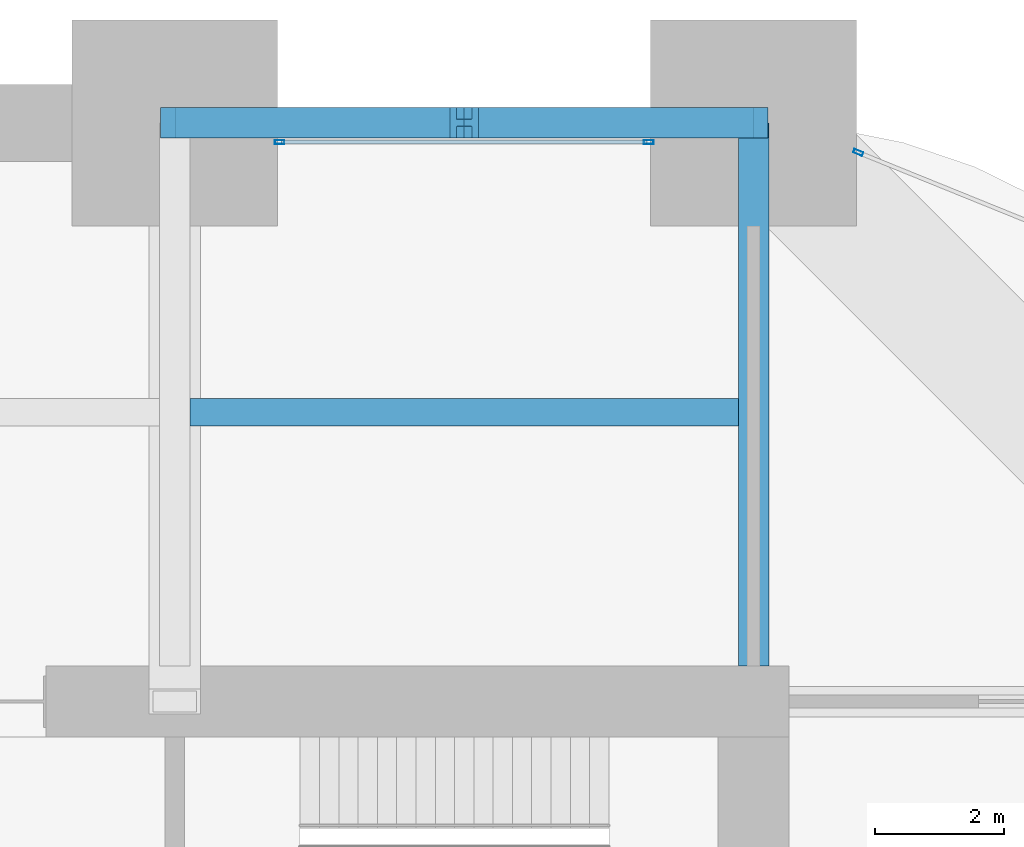
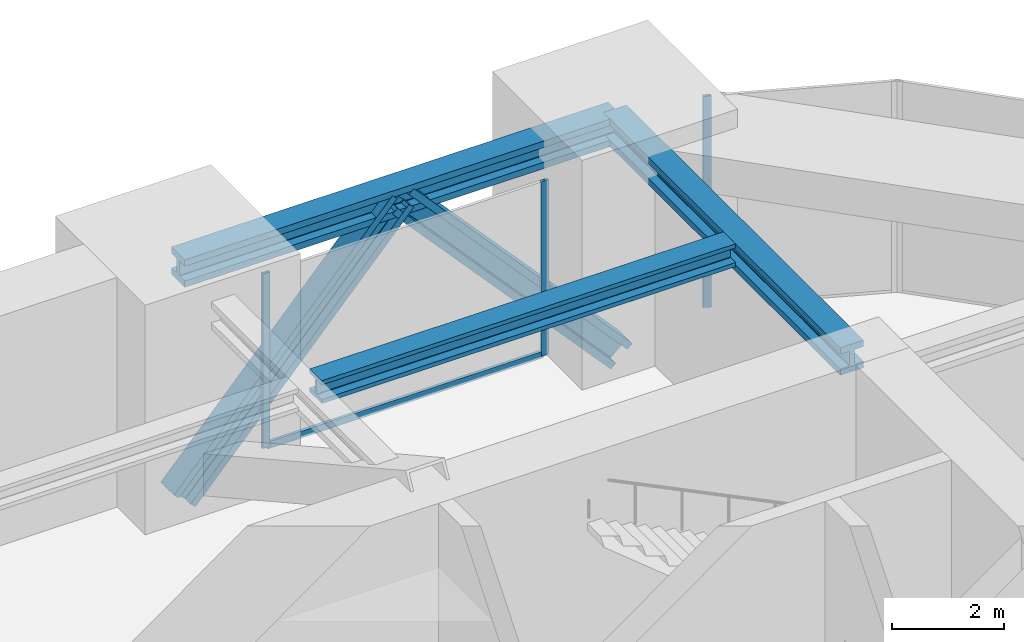
# One storey, part 25 of 32: 6 members, 3 beams, 2 elements without a shape of their own.
"""IFC4 building model written with IfcOpenShell, lengths in metres."""

from ifc_helpers import new_model, si_unit, direction, frame, origin, origin_2d, place, context, subcontext, project, spatial, hollow_rectangle, i_section, extrude, material, material_profile, profile_set, type_object, element, aggregate, save


model = new_model("IFC4")

# Units and contexts
model_context = context("Model", 3, precision=1e-05, world=origin(), true_north=direction((0.0, 1.0)))
body_context = subcontext(model_context, "Body", "Model", "MODEL_VIEW")
ifc_project = project(units=[si_unit("LENGTHUNIT", "METRE"), si_unit("AREAUNIT", "SQUARE_METRE"), si_unit("VOLUMEUNIT", "CUBIC_METRE"), si_unit("PLANEANGLEUNIT", "RADIAN"), si_unit("MASSUNIT", "GRAM", prefix="KILO")], contexts=[model_context])

# Site, building, storey
site_placement = place(None, origin())
site = spatial("IfcSite", under=ifc_project, at=site_placement, CompositionType="ELEMENT")
building_placement = place(site_placement, origin())
building = spatial("IfcBuilding", under=site, at=building_placement, Name="Zorevar Civic Tower", CompositionType="ELEMENT")
storey_placement = place(building_placement, frame((0.0, 0.0, 234.39990234375)))
storey = spatial("IfcBuildingStorey", under=building, at=storey_placement, Name="L57", CompositionType="ELEMENT", Elevation=234.39990234375)

# Beam
ifc_material_1 = material(Name="Steel S460M (HISTAR 460)", Category="steel")
ifc_material_profile_1 = material_profile(ifc_material_1, i_section(OverallWidth=0.47607421875, OverallDepth=0.60009765625, WebThickness=0.10009765625, FlangeThickness=0.139892578125, FilletRadius=0.014892578125, at=origin_2d()), Name="HD 400x1299")
ifc_profile_set_1 = profile_set([ifc_material_profile_1], Name="Steel S460M (HISTAR 460)")
beam_type_1 = type_object("IfcBeamType", Name="Belt chord HD 400x1299", PredefinedType="BEAM", material=ifc_profile_set_1)
beam_1_placement = place(storey_placement, frame((36.0, 45.0, 4.300048828125), z_axis=(1.0, 0.0, 0.0), x_axis=(0.0, 1.0, 0.0)))
element("IfcBeam", 1, at=beam_1_placement, inside=storey, type_object=beam_type_1, Name="Belt chord L58", PredefinedType="BEAM", context=body_context, shape_type="SweptSolid", body=[
    extrude(i_section(OverallWidth=0.47607421875, OverallDepth=0.60009765625, WebThickness=0.10009765625, FlangeThickness=0.139892578125, FilletRadius=0.014892578125, at=origin_2d()), origin(), (0.0, 0.0, 1.0), 9.0),
])

# Members
ifc_material_2 = material(Name="Steel S460M (HISTAR 460)", Category="steel")
ifc_material_profile_2 = material_profile(ifc_material_2, i_section(OverallWidth=0.47607421875, OverallDepth=0.60009765625, WebThickness=0.10009765625, FlangeThickness=0.139892578125, FilletRadius=0.014892578125, at=origin_2d()), Name="HD 400x1299")
ifc_profile_set_2 = profile_set([ifc_material_profile_2], Name="Steel S460M (HISTAR 460)")
member_type_1 = type_object("IfcMemberType", Name="Belt strut HD 400x1299", PredefinedType="BRACE", material=ifc_profile_set_2)
for number, where, z_axis, x_axis, name in (
    (2, (36.0, 45.0, -0.64990234375), (0.672676426978, 0.0, 0.739936770669), (0.0, 1.0, 0.0), "Belt strut N L57"),
    (3, (45.0, 45.0, -0.64990234375), (-0.672676426978, 0.0, 0.739936770669), (0.0, -1.0, 0.0), "Belt strut N L57"),
):
    element("IfcMember", number, at=place(storey_placement, frame(where, z_axis=z_axis, x_axis=x_axis)), inside=storey, type_object=member_type_1, Name=name, PredefinedType="BRACE", context=body_context, shape_type="SweptSolid", body=[
        extrude(i_section(OverallWidth=0.47607421875, OverallDepth=0.60009765625, WebThickness=0.10009765625, FlangeThickness=0.139892578125, FilletRadius=0.014892578125, at=origin_2d()), origin(), (0.0, 0.0, 1.0), 6.689697265625),
    ])

# Curtain wall, members
ifc_material_3 = material(Name="Black aluminium louvres", Category="aluminium")
curtain_wall_type = type_object("IfcCurtainWallType", Name="Louvred curtain wall CW6 refuge", PredefinedType="NOTDEFINED", material=ifc_material_3)
curtain_wall_1_placement = place(storey_placement, origin())
curtain_wall_1 = element("IfcCurtainWall", 4, at=curtain_wall_1_placement, inside=storey, type_object=curtain_wall_type, Name="CW6 L57", PredefinedType="NOTDEFINED")
ifc_material_4 = material(Name="Aluminium, black anodised", Category="aluminium")
ifc_material_profile_3 = material_profile(ifc_material_4, hollow_rectangle(XDim=0.06005859375, YDim=0.14990234375, WallThickness=0.00390625, at=origin_2d()), Name="AL 150x60x4")
ifc_profile_set_3 = profile_set([ifc_material_profile_3], Name="Aluminium, black anodised")
member_type_2 = type_object("IfcMemberType", Name="CW6 mullion AL 150x60x4", PredefinedType="MULLION", material=ifc_profile_set_3)
member_1_placement = place(storey_placement, frame((37.6298828125, 44.699951171875, 0.0), z_axis=(0.0, 0.0, 1.0), x_axis=(0.0, 1.0, 0.0)))
member_1 = element("IfcMember", 5, at=member_1_placement, type_object=member_type_2, Name="CW6 mullion 1", PredefinedType="MULLION", context=body_context, shape_type="SweptSolid", body=[
    extrude(hollow_rectangle(XDim=0.06005859375, YDim=0.14990234375, WallThickness=0.00390625, at=origin_2d()), origin(), (0.0, 0.0, 1.0), 3.800048828125),
])
member_2_placement = place(storey_placement, frame((43.3701171875, 44.699951171875, 0.0), z_axis=(0.0, 0.0, 1.0), x_axis=(0.0, 1.0, 0.0)))
member_2 = element("IfcMember", 6, at=member_2_placement, type_object=member_type_2, Name="CW6 mullion 2", PredefinedType="MULLION", context=body_context, shape_type="SweptSolid", body=[
    extrude(hollow_rectangle(XDim=0.06005859375, YDim=0.14990234375, WallThickness=0.00390625, at=origin_2d()), origin(), (0.0, 0.0, 1.0), 3.800048828125),
])

# Curtain wall, member
curtain_wall_2_placement = place(storey_placement, origin())
curtain_wall_2 = element("IfcCurtainWall", 7, at=curtain_wall_2_placement, inside=storey, type_object=curtain_wall_type, Name="CW6 L57", PredefinedType="NOTDEFINED")
member_3_placement = place(storey_placement, frame((46.627685546875, 44.540283203125, 0.0), z_axis=(0.0, 0.0, 1.0), x_axis=(-0.375650166453, -0.926761540227, 0.0)))
member_3 = element("IfcMember", 8, at=member_3_placement, type_object=member_type_2, Name="CW6 mullion 2", PredefinedType="MULLION", context=body_context, shape_type="SweptSolid", body=[
    extrude(hollow_rectangle(XDim=0.06005859375, YDim=0.14990234375, WallThickness=0.00390625, at=origin_2d()), origin(), (0.0, 0.0, 1.0), 4.60009765625),
])
aggregate(curtain_wall_2, [member_3])

# Member
ifc_material_5 = material(Name="Aluminium, black anodised", Category="aluminium")
ifc_material_profile_4 = material_profile(ifc_material_5, hollow_rectangle(XDim=0.06005859375, YDim=0.14990234375, WallThickness=0.00390625, at=origin_2d()), Name="AL 150x60x4")
ifc_profile_set_4 = profile_set([ifc_material_profile_4], Name="Aluminium, black anodised")
member_type_3 = type_object("IfcMemberType", Name="CW6 transom AL 150x60x4", PredefinedType="USERDEFINED", material=ifc_profile_set_4)
member_4_placement = place(storey_placement, frame((37.659912109375, 44.699951171875, 0.030029296875), z_axis=(1.0, 0.0, 0.0), x_axis=(0.0, 1.0, 0.0)))
member_4 = element("IfcMember", 9, at=member_4_placement, type_object=member_type_3, Name="CW6 sill transom", ObjectType="TRANSOM", PredefinedType="USERDEFINED", context=body_context, shape_type="SweptSolid", body=[
    extrude(hollow_rectangle(XDim=0.06005859375, YDim=0.14990234375, WallThickness=0.00390625, at=origin_2d()), origin(), (0.0, 0.0, 1.0), 5.68017578125),
])

aggregate(curtain_wall_1, [member_1, member_2, member_4])

# Beams
ifc_material_6 = material(Name="Steel S460M (HISTAR 460)", Category="steel")
ifc_material_profile_5 = material_profile(ifc_material_6, i_section(OverallWidth=0.431884765625, OverallDepth=0.498046875, WebThickness=0.0556640625, FlangeThickness=0.0888671875, FilletRadius=0.014892578125, at=origin_2d()), Name="HD 400x744")
ifc_profile_set_5 = profile_set([ifc_material_profile_5], Name="Steel S460M (HISTAR 460)")
beam_type_2 = type_object("IfcBeamType", Name="Core bay beam HD 400x744", PredefinedType="BEAM", material=ifc_profile_set_5)
beam_2_placement = place(storey_placement, frame((36.238037109375, 40.5, 4.35107421875), z_axis=(1.0, 0.0, 0.0), x_axis=(0.0, 1.0, 0.0)))
element("IfcBeam", 10, at=beam_2_placement, inside=storey, type_object=beam_type_2, Name="Secondary beam L58", PredefinedType="BEAM", context=body_context, shape_type="SweptSolid", body=[
    extrude(i_section(OverallWidth=0.431884765625, OverallDepth=0.498046875, WebThickness=0.0556640625, FlangeThickness=0.0888671875, FilletRadius=0.014892578125, at=origin_2d()), origin(), (0.0, 0.0, 1.0), 8.52392578125),
])
ifc_material_7 = material(Name="Steel S460M (HISTAR 460)", Category="steel")
ifc_material_profile_6 = material_profile(ifc_material_7, i_section(OverallWidth=0.47607421875, OverallDepth=0.60009765625, WebThickness=0.10009765625, FlangeThickness=0.139892578125, FilletRadius=0.014892578125, at=origin_2d()), Name="HD 400x1299")
ifc_profile_set_6 = profile_set([ifc_material_profile_6], Name="Steel S460M (HISTAR 460)")
beam_type_3 = type_object("IfcBeamType", Name="Outrigger chord HD 400x1299", PredefinedType="BEAM", material=ifc_profile_set_6)
beam_3_placement = place(storey_placement, frame((45.0, 36.550048828125, 4.300048828125), z_axis=(0.0, 1.0, 0.0), x_axis=(-1.0, 0.0, 0.0)))
element("IfcBeam", 11, at=beam_3_placement, inside=storey, type_object=beam_type_3, Name="Outrigger chord L58", PredefinedType="BEAM", context=body_context, shape_type="SweptSolid", body=[
    extrude(i_section(OverallWidth=0.47607421875, OverallDepth=0.60009765625, WebThickness=0.10009765625, FlangeThickness=0.139892578125, FilletRadius=0.014892578125, at=origin_2d()), origin(), (0.0, 0.0, 1.0), 8.449951171875),
])

save(model, "model.ifc")
